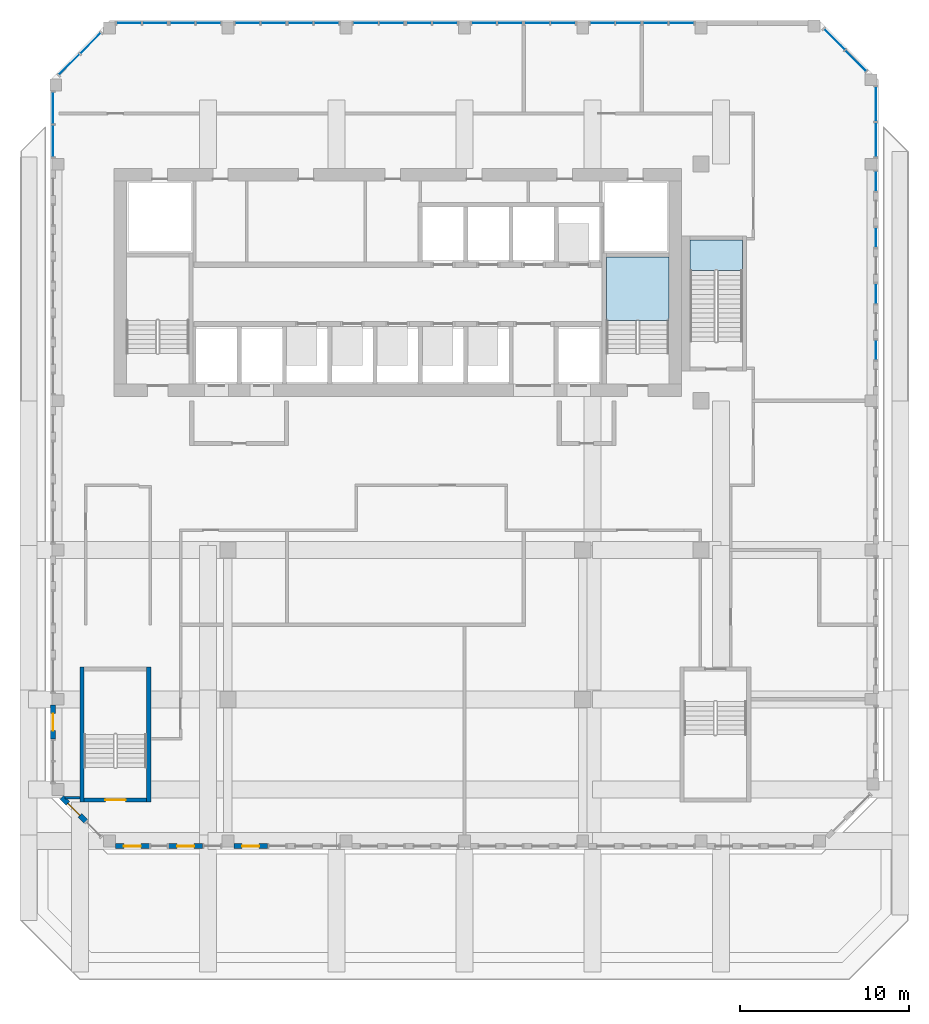
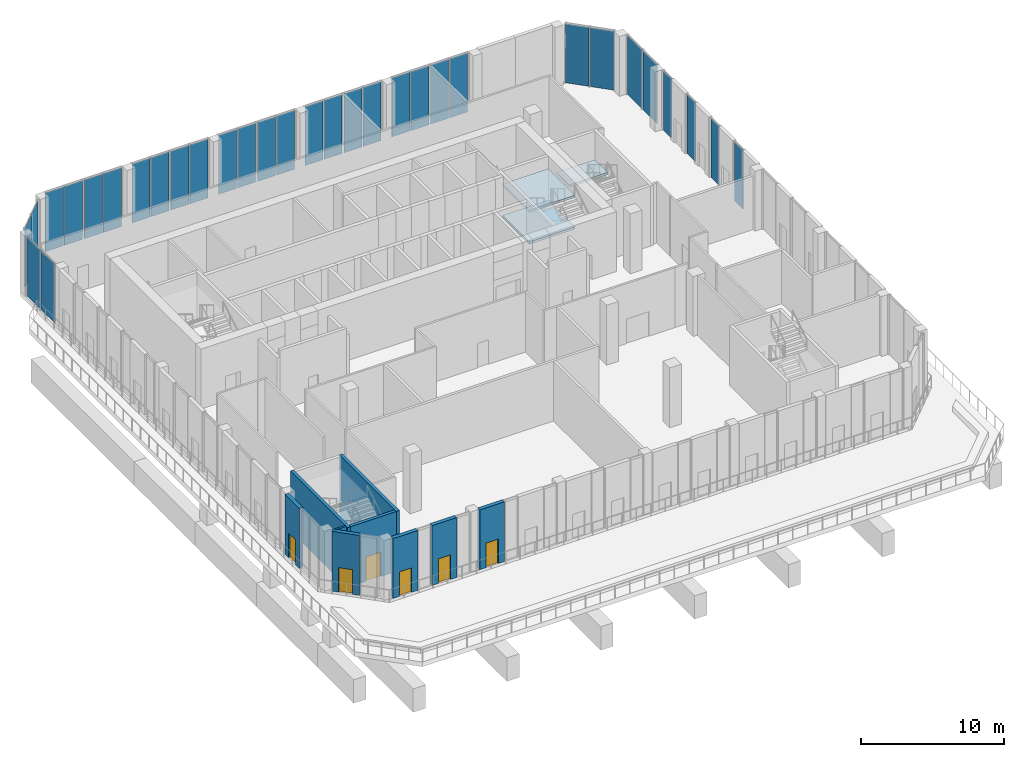
# One storey, part 8 of 18: 32 plates, 9 walls, 6 doors, 3 slabs, 6 openings, 20 elements without a shape of their own.
"""IFC4 building model written with IfcOpenShell, lengths in metres."""

from ifc_helpers import new_model, si_unit, direction, frame, frame_2d, origin, origin_2d, place, context, subcontext, project, spatial, polyline, rectangle, outline, extrude, source, transform, mapped, material, layer, layer_set, type_object, element, fill, aggregate, save


model = new_model("IFC4")

# Units and contexts
model_context = context("Model", 3, precision=1e-05, world=origin(), true_north=direction((0.0, 1.0)))
body_context = subcontext(model_context, "Body", "Model", "MODEL_VIEW")
ifc_project = project(units=[si_unit("LENGTHUNIT", "METRE"), si_unit("AREAUNIT", "SQUARE_METRE"), si_unit("VOLUMEUNIT", "CUBIC_METRE"), si_unit("PLANEANGLEUNIT", "RADIAN"), si_unit("MASSUNIT", "GRAM", prefix="KILO")], contexts=[model_context])

# Site, building, storey
site_placement = place(None, origin())
site = spatial("IfcSite", under=ifc_project, at=site_placement, CompositionType="ELEMENT")
building_placement = place(site_placement, origin())
building = spatial("IfcBuilding", under=site, at=building_placement, Name="Kilnfold Tower and Market Hall", CompositionType="ELEMENT")
storey_placement = place(building_placement, frame((0.0, 0.0, 233.60009765625)))
storey = spatial("IfcBuildingStorey", under=building, at=storey_placement, Name="L56", CompositionType="ELEMENT", Elevation=233.60009765625)

# Curtain wall, plate
ifc_material_1 = material(Name="Aluminium and double glazing", Category="aluminium")
curtain_wall_type = type_object("IfcCurtainWallType", Name="CW SKY LOBBY GLAZING", PredefinedType="NOTDEFINED", material=ifc_material_1)
curtain_wall_1_placement = place(storey_placement, origin())
curtain_wall_1 = element("IfcCurtainWall", 1, at=curtain_wall_1_placement, inside=storey, type_object=curtain_wall_type, Name="Curtain wall CW3 L56 E", PredefinedType="NOTDEFINED")
ifc_material_2 = material(Name="Double glazed unit")
ifc_layer_1 = layer(ifc_material_2, 0.035888671875)
ifc_layer_set_1 = layer_set([ifc_layer_1], Name="Double glazed unit")
plate_type = type_object("IfcPlateType", Name="GLAZING PANEL 36", PredefinedType="CURTAIN_PANEL", material=ifc_layer_set_1)
shared_shape_1 = source(origin(), body_context, "Body", "SweptSolid", [
    extrude(rectangle(XDim=1.1650390625, YDim=0.035888671875, at=origin_2d()), origin(), (0.0, 0.0, 1.0), 5.0400390625),
])
plate_1_placement = place(storey_placement, frame((29.35009765625, 11.012451171875, 0.0), z_axis=(0.0, 0.0, 1.0), x_axis=(0.0, 1.0, 0.0)))
plate_1 = element("IfcPlate", 2, at=plate_1_placement, type_object=plate_type, Name="CW3 panel 1.1", PredefinedType="CURTAIN_PANEL", context=body_context, shape_type="MappedRepresentation", body=[
    mapped(shared_shape_1, transform((0.0, 0.0, 0.0))),
])
aggregate(curtain_wall_1, [plate_1])

curtain_wall_2_placement = place(storey_placement, origin())
curtain_wall_2 = element("IfcCurtainWall", 3, at=curtain_wall_2_placement, inside=storey, type_object=curtain_wall_type, Name="Curtain wall CW3 L56 E", PredefinedType="NOTDEFINED")
plate_2_placement = place(storey_placement, frame((29.35009765625, 14.33740234375, 0.0), z_axis=(0.0, 0.0, 1.0), x_axis=(0.0, 1.0, 0.0)))
plate_2 = element("IfcPlate", 4, at=plate_2_placement, type_object=plate_type, Name="CW3 panel 1.1", PredefinedType="CURTAIN_PANEL", context=body_context, shape_type="MappedRepresentation", body=[
    mapped(shared_shape_1, transform((0.0, 0.0, 0.0))),
])
aggregate(curtain_wall_2, [plate_2])

curtain_wall_3_placement = place(storey_placement, origin())
curtain_wall_3 = element("IfcCurtainWall", 5, at=curtain_wall_3_placement, inside=storey, type_object=curtain_wall_type, Name="Curtain wall CW3 L56 E", PredefinedType="NOTDEFINED")
plate_3_placement = place(storey_placement, frame((29.35009765625, 17.66259765625, 0.0), z_axis=(0.0, 0.0, 1.0), x_axis=(0.0, 1.0, 0.0)))
plate_3 = element("IfcPlate", 6, at=plate_3_placement, type_object=plate_type, Name="CW3 panel 1.1", PredefinedType="CURTAIN_PANEL", context=body_context, shape_type="MappedRepresentation", body=[
    mapped(shared_shape_1, transform((0.0, 0.0, 0.0))),
])
aggregate(curtain_wall_3, [plate_3])

curtain_wall_4_placement = place(storey_placement, origin())
curtain_wall_4 = element("IfcCurtainWall", 7, at=curtain_wall_4_placement, inside=storey, type_object=curtain_wall_type, Name="Curtain wall CW3 L56 E", PredefinedType="NOTDEFINED")
plate_4_placement = place(storey_placement, frame((29.35009765625, 20.987548828125, 0.0), z_axis=(0.0, 0.0, 1.0), x_axis=(0.0, 1.0, 0.0)))
plate_4 = element("IfcPlate", 8, at=plate_4_placement, type_object=plate_type, Name="CW3 panel 1.1", PredefinedType="CURTAIN_PANEL", context=body_context, shape_type="MappedRepresentation", body=[
    mapped(shared_shape_1, transform((0.0, 0.0, 0.0))),
])
aggregate(curtain_wall_4, [plate_4])

# Curtain wall, plates
curtain_wall_5_placement = place(storey_placement, origin())
curtain_wall_5 = element("IfcCurtainWall", 9, at=curtain_wall_5_placement, inside=storey, type_object=curtain_wall_type, Name="Curtain wall CW3 L56 E", PredefinedType="NOTDEFINED")
shared_shape_2 = source(origin(), body_context, "Body", "SweptSolid", [
    extrude(rectangle(XDim=2.030029296875, YDim=0.035888671875, at=origin_2d()), origin(), (0.0, 0.0, 1.0), 5.0400390625),
])
plate_5_placement = place(storey_placement, frame((29.35009765625, 23.445068359375, 0.0), z_axis=(0.0, 0.0, 1.0), x_axis=(0.0, 1.0, 0.0)))
plate_5 = element("IfcPlate", 10, at=plate_5_placement, type_object=plate_type, Name="CW3 panel 1.1", PredefinedType="CURTAIN_PANEL", context=body_context, shape_type="MappedRepresentation", body=[
    mapped(shared_shape_2, transform((0.0, 0.0, 0.0))),
])
plate_6_placement = place(storey_placement, frame((29.35009765625, 25.554931640625, 0.0), z_axis=(0.0, 0.0, 1.0), x_axis=(0.0, 1.0, 0.0)))
plate_6 = element("IfcPlate", 11, at=plate_6_placement, type_object=plate_type, Name="CW3 panel 2.1", PredefinedType="CURTAIN_PANEL", context=body_context, shape_type="MappedRepresentation", body=[
    mapped(shared_shape_2, transform((0.0, 0.0, 0.0))),
])
aggregate(curtain_wall_5, [plate_5, plate_6])

curtain_wall_6_placement = place(storey_placement, origin())
curtain_wall_6 = element("IfcCurtainWall", 12, at=curtain_wall_6_placement, inside=storey, type_object=curtain_wall_type, Name="Curtain wall CW3 L56 NE", PredefinedType="NOTDEFINED")
shared_shape_3 = source(origin(), body_context, "Body", "SweptSolid", [
    extrude(rectangle(XDim=1.70068359375, YDim=0.035888671875, at=origin_2d()), origin(), (0.0, 0.0, 1.0), 5.0400390625),
])
plate_7_placement = place(storey_placement, frame((28.160888671875, 28.126953125, 0.0), z_axis=(0.0, 0.0, 1.0), x_axis=(-0.707106781187, 0.707106781187, 0.0)))
plate_7 = element("IfcPlate", 13, at=plate_7_placement, type_object=plate_type, Name="CW3 panel 1.1", PredefinedType="CURTAIN_PANEL", context=body_context, shape_type="MappedRepresentation", body=[
    mapped(shared_shape_3, transform((0.0, 0.0, 0.0))),
])
plate_8_placement = place(storey_placement, frame((26.90185546875, 29.385986328125, 0.0), z_axis=(0.0, 0.0, 1.0), x_axis=(-0.707106781187, 0.707106781187, 0.0)))
plate_8 = element("IfcPlate", 14, at=plate_8_placement, type_object=plate_type, Name="CW3 panel 2.1", PredefinedType="CURTAIN_PANEL", context=body_context, shape_type="MappedRepresentation", body=[
    mapped(shared_shape_3, transform((0.0, 0.0, 0.0))),
])
aggregate(curtain_wall_6, [plate_7, plate_8])

curtain_wall_7_placement = place(storey_placement, origin())
curtain_wall_7 = element("IfcCurtainWall", 15, at=curtain_wall_7_placement, inside=storey, type_object=curtain_wall_type, Name="Curtain wall CW3 L56 NW", PredefinedType="NOTDEFINED")
plate_9_placement = place(storey_placement, frame((-17.126953125, 29.160888671875, 0.0), z_axis=(0.0, 0.0, 1.0), x_axis=(-0.707106781187, -0.707106781187, 0.0)))
plate_9 = element("IfcPlate", 16, at=plate_9_placement, type_object=plate_type, Name="CW3 panel 1.1", PredefinedType="CURTAIN_PANEL", context=body_context, shape_type="MappedRepresentation", body=[
    mapped(shared_shape_3, transform((0.0, 0.0, 0.0))),
])
plate_10_placement = place(storey_placement, frame((-18.385986328125, 27.90185546875, 0.0), z_axis=(0.0, 0.0, 1.0), x_axis=(-0.707106781187, -0.707106781187, 0.0)))
plate_10 = element("IfcPlate", 17, at=plate_10_placement, type_object=plate_type, Name="CW3 panel 2.1", PredefinedType="CURTAIN_PANEL", context=body_context, shape_type="MappedRepresentation", body=[
    mapped(shared_shape_3, transform((0.0, 0.0, 0.0))),
])
aggregate(curtain_wall_7, [plate_9, plate_10])

curtain_wall_8_placement = place(storey_placement, origin())
curtain_wall_8 = element("IfcCurtainWall", 18, at=curtain_wall_8_placement, inside=storey, type_object=curtain_wall_type, Name="Curtain wall CW3 L56 N", PredefinedType="NOTDEFINED")
shared_shape_4 = source(origin(), body_context, "Body", "SweptSolid", [
    extrude(rectangle(XDim=1.455078125, YDim=0.035888671875, at=origin_2d()), origin(), (0.0, 0.0, 1.0), 5.0400390625),
])
plate_11_placement = place(storey_placement, frame((17.842529296875, 30.35009765625, 0.0), z_axis=(0.0, 0.0, 1.0), x_axis=(-1.0, 0.0, 0.0)))
plate_11 = element("IfcPlate", 19, at=plate_11_placement, type_object=plate_type, Name="CW3 panel 1.1", PredefinedType="CURTAIN_PANEL", context=body_context, shape_type="MappedRepresentation", body=[
    mapped(shared_shape_4, transform((0.0, 0.0, 0.0))),
])
plate_12_placement = place(storey_placement, frame((16.3076171875, 30.35009765625, 0.0), z_axis=(0.0, 0.0, 1.0), x_axis=(-1.0, 0.0, 0.0)))
plate_12 = element("IfcPlate", 20, at=plate_12_placement, type_object=plate_type, Name="CW3 panel 2.1", PredefinedType="CURTAIN_PANEL", context=body_context, shape_type="MappedRepresentation", body=[
    mapped(shared_shape_4, transform((0.0, 0.0, 0.0))),
])
aggregate(curtain_wall_8, [plate_11, plate_12])

curtain_wall_9_placement = place(storey_placement, origin())
curtain_wall_9 = element("IfcCurtainWall", 21, at=curtain_wall_9_placement, inside=storey, type_object=curtain_wall_type, Name="Curtain wall CW3 L56 N", PredefinedType="NOTDEFINED")
plate_13_placement = place(storey_placement, frame((14.6923828125, 30.35009765625, 0.0), z_axis=(0.0, 0.0, 1.0), x_axis=(-1.0, 0.0, 0.0)))
plate_13 = element("IfcPlate", 22, at=plate_13_placement, type_object=plate_type, Name="CW3 panel 1.1", PredefinedType="CURTAIN_PANEL", context=body_context, shape_type="MappedRepresentation", body=[
    mapped(shared_shape_4, transform((0.0, 0.0, 0.0))),
])
plate_14_placement = place(storey_placement, frame((13.157470703125, 30.35009765625, 0.0), z_axis=(0.0, 0.0, 1.0), x_axis=(-1.0, 0.0, 0.0)))
plate_14 = element("IfcPlate", 23, at=plate_14_placement, type_object=plate_type, Name="CW3 panel 2.1", PredefinedType="CURTAIN_PANEL", context=body_context, shape_type="MappedRepresentation", body=[
    mapped(shared_shape_4, transform((0.0, 0.0, 0.0))),
])
aggregate(curtain_wall_9, [plate_13, plate_14])

curtain_wall_10_placement = place(storey_placement, origin())
curtain_wall_10 = element("IfcCurtainWall", 24, at=curtain_wall_10_placement, inside=storey, type_object=curtain_wall_type, Name="Curtain wall CW3 L56 N", PredefinedType="NOTDEFINED")
plate_15_placement = place(storey_placement, frame((10.842529296875, 30.35009765625, 0.0), z_axis=(0.0, 0.0, 1.0), x_axis=(-1.0, 0.0, 0.0)))
plate_15 = element("IfcPlate", 25, at=plate_15_placement, type_object=plate_type, Name="CW3 panel 1.1", PredefinedType="CURTAIN_PANEL", context=body_context, shape_type="MappedRepresentation", body=[
    mapped(shared_shape_4, transform((0.0, 0.0, 0.0))),
])
plate_16_placement = place(storey_placement, frame((9.3076171875, 30.35009765625, 0.0), z_axis=(0.0, 0.0, 1.0), x_axis=(-1.0, 0.0, 0.0)))
plate_16 = element("IfcPlate", 26, at=plate_16_placement, type_object=plate_type, Name="CW3 panel 2.1", PredefinedType="CURTAIN_PANEL", context=body_context, shape_type="MappedRepresentation", body=[
    mapped(shared_shape_4, transform((0.0, 0.0, 0.0))),
])
aggregate(curtain_wall_10, [plate_15, plate_16])

curtain_wall_11_placement = place(storey_placement, origin())
curtain_wall_11 = element("IfcCurtainWall", 27, at=curtain_wall_11_placement, inside=storey, type_object=curtain_wall_type, Name="Curtain wall CW3 L56 N", PredefinedType="NOTDEFINED")
plate_17_placement = place(storey_placement, frame((7.6923828125, 30.35009765625, 0.0), z_axis=(0.0, 0.0, 1.0), x_axis=(-1.0, 0.0, 0.0)))
plate_17 = element("IfcPlate", 28, at=plate_17_placement, type_object=plate_type, Name="CW3 panel 1.1", PredefinedType="CURTAIN_PANEL", context=body_context, shape_type="MappedRepresentation", body=[
    mapped(shared_shape_4, transform((0.0, 0.0, 0.0))),
])
plate_18_placement = place(storey_placement, frame((6.157470703125, 30.35009765625, 0.0), z_axis=(0.0, 0.0, 1.0), x_axis=(-1.0, 0.0, 0.0)))
plate_18 = element("IfcPlate", 29, at=plate_18_placement, type_object=plate_type, Name="CW3 panel 2.1", PredefinedType="CURTAIN_PANEL", context=body_context, shape_type="MappedRepresentation", body=[
    mapped(shared_shape_4, transform((0.0, 0.0, 0.0))),
])
aggregate(curtain_wall_11, [plate_17, plate_18])

curtain_wall_12_placement = place(storey_placement, origin())
curtain_wall_12 = element("IfcCurtainWall", 30, at=curtain_wall_12_placement, inside=storey, type_object=curtain_wall_type, Name="Curtain wall CW3 L56 N", PredefinedType="NOTDEFINED")
plate_19_placement = place(storey_placement, frame((3.842529296875, 30.35009765625, 0.0), z_axis=(0.0, 0.0, 1.0), x_axis=(-1.0, 0.0, 0.0)))
plate_19 = element("IfcPlate", 31, at=plate_19_placement, type_object=plate_type, Name="CW3 panel 1.1", PredefinedType="CURTAIN_PANEL", context=body_context, shape_type="MappedRepresentation", body=[
    mapped(shared_shape_4, transform((0.0, 0.0, 0.0))),
])
plate_20_placement = place(storey_placement, frame((2.3076171875, 30.35009765625, 0.0), z_axis=(0.0, 0.0, 1.0), x_axis=(-1.0, 0.0, 0.0)))
plate_20 = element("IfcPlate", 32, at=plate_20_placement, type_object=plate_type, Name="CW3 panel 2.1", PredefinedType="CURTAIN_PANEL", context=body_context, shape_type="MappedRepresentation", body=[
    mapped(shared_shape_4, transform((0.0, 0.0, 0.0))),
])
aggregate(curtain_wall_12, [plate_19, plate_20])

curtain_wall_13_placement = place(storey_placement, origin())
curtain_wall_13 = element("IfcCurtainWall", 33, at=curtain_wall_13_placement, inside=storey, type_object=curtain_wall_type, Name="Curtain wall CW3 L56 N", PredefinedType="NOTDEFINED")
plate_21_placement = place(storey_placement, frame((0.6923828125, 30.35009765625, 0.0), z_axis=(0.0, 0.0, 1.0), x_axis=(-1.0, 0.0, 0.0)))
plate_21 = element("IfcPlate", 34, at=plate_21_placement, type_object=plate_type, Name="CW3 panel 1.1", PredefinedType="CURTAIN_PANEL", context=body_context, shape_type="MappedRepresentation", body=[
    mapped(shared_shape_4, transform((0.0, 0.0, 0.0))),
])
plate_22_placement = place(storey_placement, frame((-0.842529296875, 30.35009765625, 0.0), z_axis=(0.0, 0.0, 1.0), x_axis=(-1.0, 0.0, 0.0)))
plate_22 = element("IfcPlate", 35, at=plate_22_placement, type_object=plate_type, Name="CW3 panel 2.1", PredefinedType="CURTAIN_PANEL", context=body_context, shape_type="MappedRepresentation", body=[
    mapped(shared_shape_4, transform((0.0, 0.0, 0.0))),
])
aggregate(curtain_wall_13, [plate_21, plate_22])

curtain_wall_14_placement = place(storey_placement, origin())
curtain_wall_14 = element("IfcCurtainWall", 36, at=curtain_wall_14_placement, inside=storey, type_object=curtain_wall_type, Name="Curtain wall CW3 L56 N", PredefinedType="NOTDEFINED")
plate_23_placement = place(storey_placement, frame((-3.157470703125, 30.35009765625, 0.0), z_axis=(0.0, 0.0, 1.0), x_axis=(-1.0, 0.0, 0.0)))
plate_23 = element("IfcPlate", 37, at=plate_23_placement, type_object=plate_type, Name="CW3 panel 1.1", PredefinedType="CURTAIN_PANEL", context=body_context, shape_type="MappedRepresentation", body=[
    mapped(shared_shape_4, transform((0.0, 0.0, 0.0))),
])
plate_24_placement = place(storey_placement, frame((-4.6923828125, 30.35009765625, 0.0), z_axis=(0.0, 0.0, 1.0), x_axis=(-1.0, 0.0, 0.0)))
plate_24 = element("IfcPlate", 38, at=plate_24_placement, type_object=plate_type, Name="CW3 panel 2.1", PredefinedType="CURTAIN_PANEL", context=body_context, shape_type="MappedRepresentation", body=[
    mapped(shared_shape_4, transform((0.0, 0.0, 0.0))),
])
aggregate(curtain_wall_14, [plate_23, plate_24])

curtain_wall_15_placement = place(storey_placement, origin())
curtain_wall_15 = element("IfcCurtainWall", 39, at=curtain_wall_15_placement, inside=storey, type_object=curtain_wall_type, Name="Curtain wall CW3 L56 N", PredefinedType="NOTDEFINED")
plate_25_placement = place(storey_placement, frame((-6.3076171875, 30.35009765625, 0.0), z_axis=(0.0, 0.0, 1.0), x_axis=(-1.0, 0.0, 0.0)))
plate_25 = element("IfcPlate", 40, at=plate_25_placement, type_object=plate_type, Name="CW3 panel 1.1", PredefinedType="CURTAIN_PANEL", context=body_context, shape_type="MappedRepresentation", body=[
    mapped(shared_shape_4, transform((0.0, 0.0, 0.0))),
])
plate_26_placement = place(storey_placement, frame((-7.842529296875, 30.35009765625, 0.0), z_axis=(0.0, 0.0, 1.0), x_axis=(-1.0, 0.0, 0.0)))
plate_26 = element("IfcPlate", 41, at=plate_26_placement, type_object=plate_type, Name="CW3 panel 2.1", PredefinedType="CURTAIN_PANEL", context=body_context, shape_type="MappedRepresentation", body=[
    mapped(shared_shape_4, transform((0.0, 0.0, 0.0))),
])
aggregate(curtain_wall_15, [plate_25, plate_26])

curtain_wall_16_placement = place(storey_placement, origin())
curtain_wall_16 = element("IfcCurtainWall", 42, at=curtain_wall_16_placement, inside=storey, type_object=curtain_wall_type, Name="Curtain wall CW3 L56 N", PredefinedType="NOTDEFINED")
plate_27_placement = place(storey_placement, frame((-10.157470703125, 30.35009765625, 0.0), z_axis=(0.0, 0.0, 1.0), x_axis=(-1.0, 0.0, 0.0)))
plate_27 = element("IfcPlate", 43, at=plate_27_placement, type_object=plate_type, Name="CW3 panel 1.1", PredefinedType="CURTAIN_PANEL", context=body_context, shape_type="MappedRepresentation", body=[
    mapped(shared_shape_4, transform((0.0, 0.0, 0.0))),
])
plate_28_placement = place(storey_placement, frame((-11.6923828125, 30.35009765625, 0.0), z_axis=(0.0, 0.0, 1.0), x_axis=(-1.0, 0.0, 0.0)))
plate_28 = element("IfcPlate", 44, at=plate_28_placement, type_object=plate_type, Name="CW3 panel 2.1", PredefinedType="CURTAIN_PANEL", context=body_context, shape_type="MappedRepresentation", body=[
    mapped(shared_shape_4, transform((0.0, 0.0, 0.0))),
])
aggregate(curtain_wall_16, [plate_27, plate_28])

curtain_wall_17_placement = place(storey_placement, origin())
curtain_wall_17 = element("IfcCurtainWall", 45, at=curtain_wall_17_placement, inside=storey, type_object=curtain_wall_type, Name="Curtain wall CW3 L56 N", PredefinedType="NOTDEFINED")
plate_29_placement = place(storey_placement, frame((-13.3076171875, 30.35009765625, 0.0), z_axis=(0.0, 0.0, 1.0), x_axis=(-1.0, 0.0, 0.0)))
plate_29 = element("IfcPlate", 46, at=plate_29_placement, type_object=plate_type, Name="CW3 panel 1.1", PredefinedType="CURTAIN_PANEL", context=body_context, shape_type="MappedRepresentation", body=[
    mapped(shared_shape_4, transform((0.0, 0.0, 0.0))),
])
plate_30_placement = place(storey_placement, frame((-14.842529296875, 30.35009765625, 0.0), z_axis=(0.0, 0.0, 1.0), x_axis=(-1.0, 0.0, 0.0)))
plate_30 = element("IfcPlate", 47, at=plate_30_placement, type_object=plate_type, Name="CW3 panel 2.1", PredefinedType="CURTAIN_PANEL", context=body_context, shape_type="MappedRepresentation", body=[
    mapped(shared_shape_4, transform((0.0, 0.0, 0.0))),
])
aggregate(curtain_wall_17, [plate_29, plate_30])

curtain_wall_18_placement = place(storey_placement, origin())
curtain_wall_18 = element("IfcCurtainWall", 48, at=curtain_wall_18_placement, inside=storey, type_object=curtain_wall_type, Name="Curtain wall CW3 L56 W", PredefinedType="NOTDEFINED")
shared_shape_5 = source(origin(), body_context, "Body", "SweptSolid", [
    extrude(rectangle(XDim=1.870849609375, YDim=0.035888671875, at=origin_2d()), origin(), (0.0, 0.0, 1.0), 5.0400390625),
])
plate_31_placement = place(storey_placement, frame((-19.35009765625, 25.31640625, 0.0), z_axis=(0.0, 0.0, 1.0), x_axis=(0.0, -1.0, 0.0)))
plate_31 = element("IfcPlate", 49, at=plate_31_placement, type_object=plate_type, Name="CW3 panel 1.1", PredefinedType="CURTAIN_PANEL", context=body_context, shape_type="MappedRepresentation", body=[
    mapped(shared_shape_5, transform((0.0, 0.0, 0.0))),
])
plate_32_placement = place(storey_placement, frame((-19.35009765625, 23.365478515625, 0.0), z_axis=(0.0, 0.0, 1.0), x_axis=(0.0, -1.0, 0.0)))
plate_32 = element("IfcPlate", 50, at=plate_32_placement, type_object=plate_type, Name="CW3 panel 2.1", PredefinedType="CURTAIN_PANEL", context=body_context, shape_type="MappedRepresentation", body=[
    mapped(shared_shape_5, transform((0.0, 0.0, 0.0))),
])
aggregate(curtain_wall_18, [plate_31, plate_32])

# Stair, slabs
ifc_material_3 = material(Name="Concrete C40/50", Category="concrete")
stair_type_1 = type_object("IfcStairType", Name="CORE STAIR 1800", PredefinedType="HALF_TURN_STAIR", material=ifc_material_3)
stair_1_placement = place(storey_placement, origin())
stair_1 = element("IfcStair", 51, at=stair_1_placement, inside=storey, type_object=stair_type_1, Name="L56 ST2", PredefinedType="HALF_TURN_STAIR")
ifc_material_4 = material(Name="Concrete C40/50", Category="concrete")
ifc_layer_2 = layer(ifc_material_4, 0.199951171875)
ifc_layer_set_2 = layer_set([ifc_layer_2], Name="Concrete C40/50")
slab_type = type_object("IfcSlabType", Name="CORE STAIR LANDING 200", PredefinedType="LANDING", material=ifc_layer_set_2)
shared_shape_6 = source(origin(), body_context, "Body", "SweptSolid", [
    extrude(outline(polyline([(17.10009765625, 12.760009765625), (17.10009765625, 16.5), (13.39990234375, 16.5), (13.39990234375, 12.760009765625), (17.10009765625, 12.760009765625)])), origin(), (0.0, 0.0, 1.0), 0.199951171875),
])
slab_1_placement = place(storey_placement, frame((0.0, 0.0, 1.14990234375)))
slab_1 = element("IfcSlab", 52, at=slab_1_placement, type_object=slab_type, Name="ST2 landing 1", PredefinedType="LANDING", context=body_context, shape_type="MappedRepresentation", body=[
    mapped(shared_shape_6, transform((0.0, 0.0, 0.0))),
])
slab_2_placement = place(storey_placement, frame((0.0, 0.0, 3.849853515625)))
slab_2 = element("IfcSlab", 53, at=slab_2_placement, type_object=slab_type, Name="ST2 landing 3", PredefinedType="LANDING", context=body_context, shape_type="MappedRepresentation", body=[
    mapped(shared_shape_6, transform((0.0, 0.0, 0.0))),
])
aggregate(stair_1, [slab_1, slab_2])

# Stair, slab
ifc_material_5 = material(Name="Concrete C40/50", Category="concrete")
stair_type_2 = type_object("IfcStairType", Name="CORE STAIR 1500", PredefinedType="HALF_TURN_STAIR", material=ifc_material_5)
stair_2_placement = place(storey_placement, origin())
stair_2 = element("IfcStair", 54, at=stair_2_placement, inside=storey, type_object=stair_type_2, Name="L56 ST5", PredefinedType="HALF_TURN_STAIR")
shared_shape_7 = source(origin(), body_context, "Body", "SweptSolid", [
    extrude(outline(polyline([(21.449951171875, 15.699951171875), (21.449951171875, 17.5), (18.35009765625, 17.5), (18.35009765625, 15.699951171875), (21.449951171875, 15.699951171875)])), origin(), (0.0, 0.0, 1.0), 0.199951171875),
])
slab_3_placement = place(storey_placement, frame((0.0, 0.0, 2.5)))
slab_3 = element("IfcSlab", 55, at=slab_3_placement, type_object=slab_type, Name="ST5 landing 1", PredefinedType="LANDING", context=body_context, shape_type="MappedRepresentation", body=[
    mapped(shared_shape_7, transform((0.0, 0.0, 0.0))),
])
aggregate(stair_2, [slab_3])

# Wall
ifc_material_6 = material(Name="Gypsum board on steel studs", Category="steel")
ifc_layer_3 = layer(ifc_material_6, 0.14990234375)
ifc_layer_set_3 = layer_set([ifc_layer_3], Name="Gypsum board on steel studs")
wall_type_1 = type_object("IfcWallType", Name="WALL CORRIDOR 150", PredefinedType="PARTITIONING", material=ifc_layer_set_3)
wall_1_placement = place(storey_placement, frame((-18.64599609375, -15.5, 0.0), z_axis=(0.0, 0.0, 1.0), x_axis=(1.0, 0.0, 0.0)))
element("IfcWall", 56, at=wall_1_placement, inside=storey, type_object=wall_type_1, Name="Partition LY34.9", PredefinedType="PARTITIONING", context=body_context, shape_type="SweptSolid", body=[
    extrude(rectangle(XDim=0.89599609375, YDim=0.14990234375, at=frame_2d((0.447998046875, 0.0))), origin(), (0.0, 0.0, 1.0), 5.119873046875),
])

# Wall, opening, door
ifc_material_7 = material(Name="Concrete C60", Category="concrete")
ifc_layer_4 = layer(ifc_material_7, 0.25)
ifc_layer_set_4 = layer_set([ifc_layer_4], Name="Concrete C60")
wall_type_2 = type_object("IfcWallType", Name="CORE WALL 250 C60", PredefinedType="SHEAR", material=ifc_layer_set_4)
shared_shape_8 = source(origin(), body_context, "Body", "SweptSolid", [
    extrude(rectangle(XDim=3.699951171875, YDim=0.25, at=frame_2d((1.85009765625, 0.0))), origin(), (0.0, 0.0, 1.0), 5.119873046875),
])
wall_2_placement = place(storey_placement, frame((-17.5, -15.625, 0.0), z_axis=(0.0, 0.0, 1.0), x_axis=(1.0, 0.0, 0.0)))
wall_2 = element("IfcWall", 57, at=wall_2_placement, inside=storey, type_object=wall_type_2, Name="Stair enclosure ST3", PredefinedType="SHEAR", context=body_context, shape_type="MappedRepresentation", body=[
    mapped(shared_shape_8, transform((0.0, 0.0, 0.0))),
])
opening_1_placement = place(wall_2_placement, frame((1.25, 0.0, 0.0)))
opening_1 = element("IfcOpeningElement", 58, at=opening_1_placement, cuts=wall_2, Name="Opening SD1", PredefinedType="OPENING", context=body_context, shape_type="SweptSolid", body=[
    extrude(rectangle(XDim=1.199951171875, YDim=2.10009765625, at=frame_2d((0.60009765625, 1.050048828125))), frame((0.0, 0.135009765625, 0.0), z_axis=(0.0, -1.0, 0.0), x_axis=(1.0, 0.0, 0.0)), (0.0, 0.0, 1.0), 0.27001953125),
])
ifc_material_8 = material(Name="Steel door set with fire-resisting leaf", Category="steel")
door_type_1 = type_object("IfcDoorType", Name="STAIR FLOOR DOOR 1200X2100", OperationType="NOTDEFINED", PredefinedType="DOOR", material=ifc_material_8)
door_1_placement = place(opening_1_placement, origin())
door_1 = element("IfcDoor", 59, at=door_1_placement, inside=storey, type_object=door_type_1, Name="Exit stair ST3 door", OperationType="DOUBLE_DOOR_SINGLE_SWING", OverallHeight=2.10009765625, OverallWidth=1.199951171875, PredefinedType="DOOR", context=body_context, shape_type="SweptSolid", body=[
    extrude(rectangle(XDim=1.199951171875, YDim=2.10009765625, at=frame_2d((0.60009765625, 1.050048828125))), frame((0.0, 0.02490234375, 0.0), z_axis=(0.0, -1.0, 0.0), x_axis=(1.0, 0.0, 0.0)), (0.0, 0.0, 1.0), 0.050048828125),
])
fill(opening_1, door_1)

# Walls
shared_shape_9 = source(origin(), body_context, "Body", "SweptSolid", [
    extrude(rectangle(XDim=8.0, YDim=0.25, at=frame_2d((4.0, 0.0))), origin(), (0.0, 0.0, 1.0), 5.119873046875),
])
for number, where, z_axis, x_axis, name in (
    (60, (-17.625, -15.75, 0.0), (0.0, 0.0, 1.0), (0.0, 1.0, 0.0), "Stair enclosure ST3"),
    (61, (-13.675048828125, -15.75, 0.0), (0.0, 0.0, 1.0), (0.0, 1.0, 0.0), "Stair enclosure ST3"),
):
    element("IfcWall", number, at=place(storey_placement, frame(where, z_axis=z_axis, x_axis=x_axis)), inside=storey, type_object=wall_type_2, Name=name, PredefinedType="SHEAR", context=body_context, shape_type="MappedRepresentation", body=[
        mapped(shared_shape_9, transform((0.0, 0.0, 0.0))),
    ])

# Wall, opening, door
ifc_material_9 = material(Name="Precast concrete C50/60", Category="concrete")
ifc_layer_5 = layer(ifc_material_9, 0.300048828125)
ifc_layer_set_5 = layer_set([ifc_layer_5], Name="Precast concrete C50/60")
wall_type_3 = type_object("IfcWallType", Name="PRECAST WALL 300", PredefinedType="SOLIDWALL", material=ifc_layer_set_5)
shared_shape_10 = source(origin(), body_context, "Body", "SweptSolid", [
    extrude(rectangle(XDim=2.0, YDim=0.300048828125, at=frame_2d((1.0, 0.0))), origin(), (0.0, 0.0, 1.0), 5.119873046875),
])
wall_3_placement = place(storey_placement, frame((-15.64990234375, -18.35009765625, 0.0), z_axis=(0.0, 0.0, 1.0), x_axis=(1.0, 0.0, 0.0)))
wall_3 = element("IfcWall", 62, at=wall_3_placement, inside=storey, type_object=wall_type_3, Name="External wall L56 S", PredefinedType="SOLIDWALL", context=body_context, shape_type="MappedRepresentation", body=[
    mapped(shared_shape_10, transform((0.0, 0.0, 0.0))),
])
opening_2_placement = place(wall_3_placement, frame((0.5, 0.0, 0.0)))
opening_2 = element("IfcOpeningElement", 63, at=opening_2_placement, cuts=wall_3, Name="Opening BD1", PredefinedType="OPENING", context=body_context, shape_type="SweptSolid", body=[
    extrude(rectangle(XDim=1.0, YDim=2.10009765625, at=frame_2d((0.5, 1.050048828125))), frame((0.0, 0.16015625, 0.0), z_axis=(0.0, -1.0, 0.0), x_axis=(1.0, 0.0, 0.0)), (0.0, 0.0, 1.0), 0.320068359375),
])
ifc_material_10 = material(Name="Aluminium frame and double glazing", Category="aluminium")
door_type_2 = type_object("IfcDoorType", Name="BALCONY DOOR 1000X2100", OperationType="NOTDEFINED", PredefinedType="DOOR", material=ifc_material_10)
door_2_placement = place(opening_2_placement, origin())
door_2 = element("IfcDoor", 64, at=door_2_placement, inside=storey, type_object=door_type_2, Name="Balcony door BD1 L56 S-1", OperationType="SINGLE_SWING_LEFT", OverallHeight=2.10009765625, OverallWidth=1.0, PredefinedType="DOOR", context=body_context, shape_type="SweptSolid", body=[
    extrude(rectangle(XDim=1.0, YDim=2.10009765625, at=frame_2d((0.5, 1.050048828125))), frame((0.0, 0.02490234375, 0.0), z_axis=(0.0, -1.0, 0.0), x_axis=(1.0, 0.0, 0.0)), (0.0, 0.0, 1.0), 0.050048828125),
])
fill(opening_2, door_2)

wall_4_placement = place(storey_placement, frame((-12.5, -18.35009765625, 0.0), z_axis=(0.0, 0.0, 1.0), x_axis=(1.0, 0.0, 0.0)))
wall_4 = element("IfcWall", 65, at=wall_4_placement, inside=storey, type_object=wall_type_3, Name="External wall L56 S", PredefinedType="SOLIDWALL", context=body_context, shape_type="MappedRepresentation", body=[
    mapped(shared_shape_10, transform((0.0, 0.0, 0.0))),
])
opening_3_placement = place(wall_4_placement, frame((0.5, 0.0, 0.0)))
opening_3 = element("IfcOpeningElement", 66, at=opening_3_placement, cuts=wall_4, Name="Opening BD1", PredefinedType="OPENING", context=body_context, shape_type="SweptSolid", body=[
    extrude(rectangle(XDim=1.0, YDim=2.10009765625, at=frame_2d((0.5, 1.050048828125))), frame((0.0, 0.16015625, 0.0), z_axis=(0.0, -1.0, 0.0), x_axis=(1.0, 0.0, 0.0)), (0.0, 0.0, 1.0), 0.320068359375),
])
door_3_placement = place(opening_3_placement, origin())
door_3 = element("IfcDoor", 67, at=door_3_placement, inside=storey, type_object=door_type_2, Name="Balcony door BD1 L56 S-2", OperationType="SINGLE_SWING_RIGHT", OverallHeight=2.10009765625, OverallWidth=1.0, PredefinedType="DOOR", context=body_context, shape_type="SweptSolid", body=[
    extrude(rectangle(XDim=1.0, YDim=2.10009765625, at=frame_2d((0.5, 1.050048828125))), frame((0.0, 0.02490234375, 0.0), z_axis=(0.0, -1.0, 0.0), x_axis=(1.0, 0.0, 0.0)), (0.0, 0.0, 1.0), 0.050048828125),
])
fill(opening_3, door_3)

wall_5_placement = place(storey_placement, frame((-8.64990234375, -18.35009765625, 0.0), z_axis=(0.0, 0.0, 1.0), x_axis=(1.0, 0.0, 0.0)))
wall_5 = element("IfcWall", 68, at=wall_5_placement, inside=storey, type_object=wall_type_3, Name="External wall L56 S", PredefinedType="SOLIDWALL", context=body_context, shape_type="MappedRepresentation", body=[
    mapped(shared_shape_10, transform((0.0, 0.0, 0.0))),
])
opening_4_placement = place(wall_5_placement, frame((0.5, 0.0, 0.0)))
opening_4 = element("IfcOpeningElement", 69, at=opening_4_placement, cuts=wall_5, Name="Opening BD1", PredefinedType="OPENING", context=body_context, shape_type="SweptSolid", body=[
    extrude(rectangle(XDim=1.0, YDim=2.10009765625, at=frame_2d((0.5, 1.050048828125))), frame((0.0, 0.16015625, 0.0), z_axis=(0.0, -1.0, 0.0), x_axis=(1.0, 0.0, 0.0)), (0.0, 0.0, 1.0), 0.320068359375),
])
door_4_placement = place(opening_4_placement, origin())
door_4 = element("IfcDoor", 70, at=door_4_placement, inside=storey, type_object=door_type_2, Name="Balcony door BD1 L56 S-1", OperationType="SINGLE_SWING_LEFT", OverallHeight=2.10009765625, OverallWidth=1.0, PredefinedType="DOOR", context=body_context, shape_type="SweptSolid", body=[
    extrude(rectangle(XDim=1.0, YDim=2.10009765625, at=frame_2d((0.5, 1.050048828125))), frame((0.0, 0.02490234375, 0.0), z_axis=(0.0, -1.0, 0.0), x_axis=(1.0, 0.0, 0.0)), (0.0, 0.0, 1.0), 0.050048828125),
])
fill(opening_4, door_4)

wall_6_placement = place(storey_placement, frame((-19.35009765625, -10.0166015625, 0.0), z_axis=(0.0, 0.0, 1.0), x_axis=(0.0, -1.0, 0.0)))
wall_6 = element("IfcWall", 71, at=wall_6_placement, inside=storey, type_object=wall_type_3, Name="External wall L56 W", PredefinedType="SOLIDWALL", context=body_context, shape_type="MappedRepresentation", body=[
    mapped(shared_shape_10, transform((0.0, 0.0, 0.0))),
])
opening_5_placement = place(wall_6_placement, frame((0.5, 0.0, 0.0)))
opening_5 = element("IfcOpeningElement", 72, at=opening_5_placement, cuts=wall_6, Name="Opening BD1", PredefinedType="OPENING", context=body_context, shape_type="SweptSolid", body=[
    extrude(rectangle(XDim=1.0, YDim=2.10009765625, at=frame_2d((0.5, 1.050048828125))), frame((0.0, 0.16015625, 0.0), z_axis=(0.0, -1.0, 0.0), x_axis=(1.0, 0.0, 0.0)), (0.0, 0.0, 1.0), 0.320068359375),
])
door_5_placement = place(opening_5_placement, origin())
door_5 = element("IfcDoor", 73, at=door_5_placement, inside=storey, type_object=door_type_2, Name="Balcony door BD1 L56 W-1", OperationType="SINGLE_SWING_LEFT", OverallHeight=2.10009765625, OverallWidth=1.0, PredefinedType="DOOR", context=body_context, shape_type="SweptSolid", body=[
    extrude(rectangle(XDim=1.0, YDim=2.10009765625, at=frame_2d((0.5, 1.050048828125))), frame((0.0, 0.02490234375, 0.0), z_axis=(0.0, -1.0, 0.0), x_axis=(1.0, 0.0, 0.0)), (0.0, 0.0, 1.0), 0.050048828125),
])
fill(opening_5, door_5)

wall_7_placement = place(storey_placement, frame((-18.81884765625, -15.468994140625, 0.0), z_axis=(0.0, 0.0, 1.0), x_axis=(0.707045742145, -0.70716781496, 0.0)))
wall_7 = element("IfcWall", 74, at=wall_7_placement, inside=storey, type_object=wall_type_3, Name="External wall L56 SW", PredefinedType="SOLIDWALL", context=body_context, shape_type="MappedRepresentation", body=[
    mapped(shared_shape_10, transform((0.0, 0.0, 0.0))),
])
opening_6_placement = place(wall_7_placement, frame((0.5, 0.0, 0.0)))
opening_6 = element("IfcOpeningElement", 75, at=opening_6_placement, cuts=wall_7, Name="Opening BD1", PredefinedType="OPENING", context=body_context, shape_type="SweptSolid", body=[
    extrude(rectangle(XDim=1.0, YDim=2.10009765625, at=frame_2d((0.5, 1.050048828125))), frame((0.0, 0.16015625, 0.0), z_axis=(0.0, -1.0, 0.0), x_axis=(1.0, 0.0, 0.0)), (0.0, 0.0, 1.0), 0.320068359375),
])
door_6_placement = place(opening_6_placement, origin())
door_6 = element("IfcDoor", 76, at=door_6_placement, inside=storey, type_object=door_type_2, Name="Balcony door BD1 L56 SW-1", OperationType="SINGLE_SWING_LEFT", OverallHeight=2.10009765625, OverallWidth=1.0, PredefinedType="DOOR", context=body_context, shape_type="SweptSolid", body=[
    extrude(rectangle(XDim=1.0, YDim=2.10009765625, at=frame_2d((0.5, 1.050048828125))), frame((0.0, 0.02490234375, 0.0), z_axis=(0.0, -1.0, 0.0), x_axis=(1.0, 0.0, 0.0)), (0.0, 0.0, 1.0), 0.050048828125),
])
fill(opening_6, door_6)

save(model, "model.ifc")
